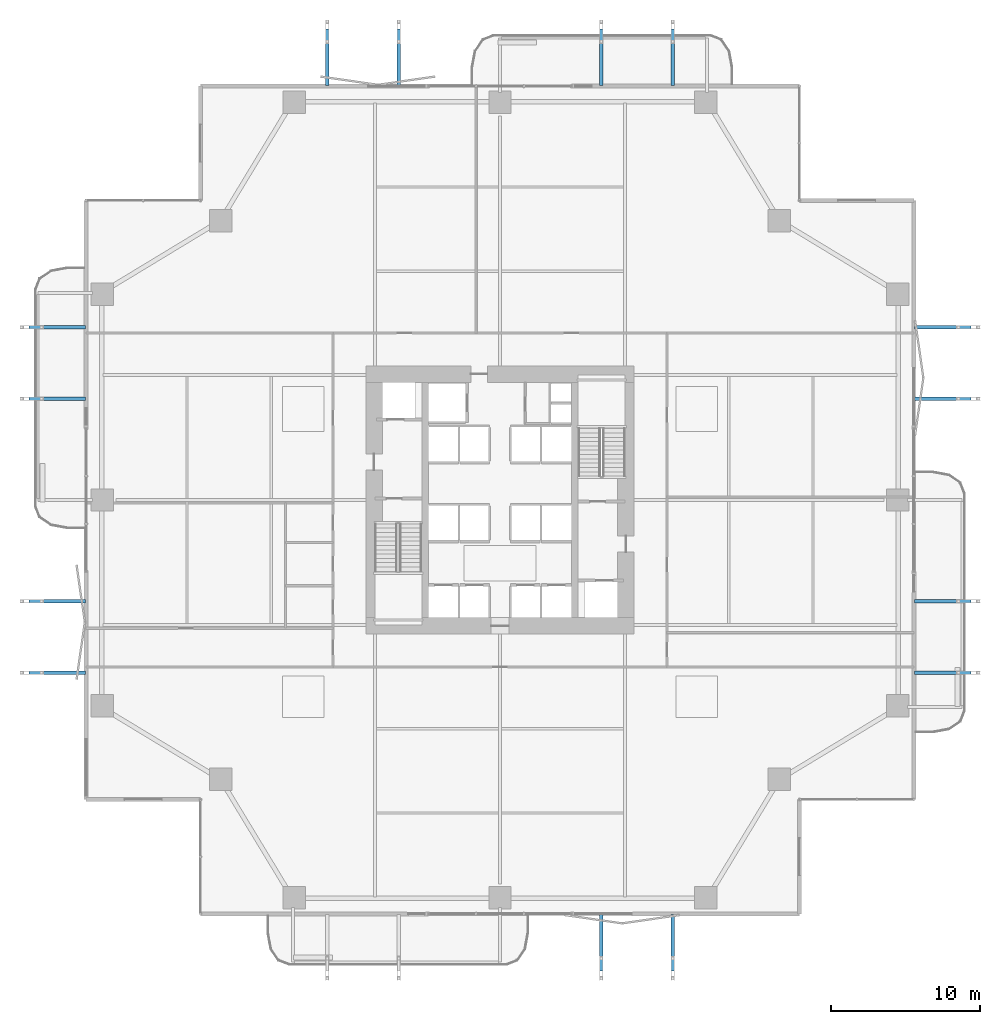
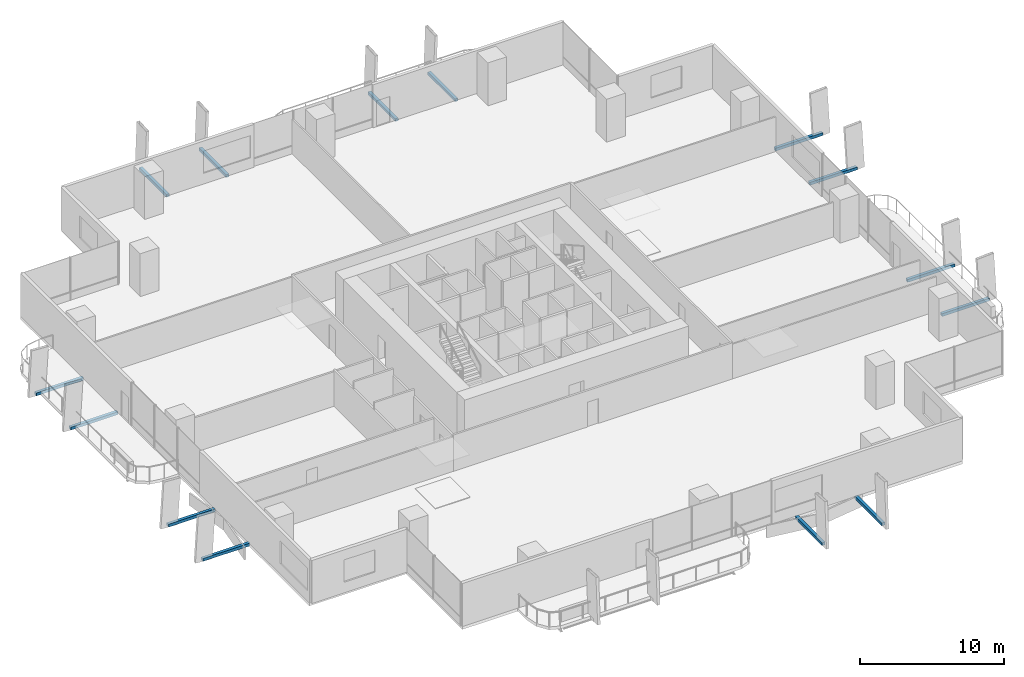
# One storey, part 27 of 30: 14 discrete accessories.
"""IFC4 building model written with IfcOpenShell, lengths in metres."""

from ifc_helpers import new_model, si_unit, direction, frame, origin, origin_2d, place, context, subcontext, project, spatial, rectangle, extrude, material, layer, layer_set, type_object, element, save


model = new_model("IFC4")

# Units and contexts
model_context = context("Model", 3, precision=1e-05, world=origin(), true_north=direction((0.0, 1.0)))
body_context = subcontext(model_context, "Body", "Model", "MODEL_VIEW")
ifc_project = project(units=[si_unit("LENGTHUNIT", "METRE"), si_unit("AREAUNIT", "SQUARE_METRE"), si_unit("VOLUMEUNIT", "CUBIC_METRE"), si_unit("PLANEANGLEUNIT", "RADIAN"), si_unit("MASSUNIT", "GRAM", prefix="KILO")], contexts=[model_context])

# Site, building, storey
site_placement = place(None, origin())
site = spatial("IfcSite", under=ifc_project, at=site_placement, CompositionType="ELEMENT")
building_placement = place(site_placement, origin())
building = spatial("IfcBuilding", under=site, at=building_placement, Name="Belovzor Exchange Tower", CompositionType="ELEMENT")
storey_placement = place(building_placement, frame((0.0, 0.0, 30.0)))
storey = spatial("IfcBuildingStorey", under=building, at=storey_placement, Name="L06", CompositionType="ELEMENT", Elevation=30.0)

# Discrete accessories
ifc_material = material(Name="Stainless Steel Grade 316", Category="steel")
ifc_layer = layer(ifc_material, 0.179931640625)
ifc_layer_set = layer_set([ifc_layer], Name="Stainless Steel Grade 316")
discrete_accessory_type = type_object("IfcDiscreteAccessoryType", Name="Stainless Steel Facade Outrigger Fixing Bracket", PredefinedType="BRACKET", material=ifc_layer_set)
for number, where, z_axis, x_axis, name in (
    (1, (17.199951171875, 58.51904296875, -0.2451171875), (0.0, 0.0, 1.0), (0.0, 1.0, 0.0), "BRK-FIN1 Sweeping Fin Outrigger Bracket L06 N1"),
    (2, (-0.9189453125, 17.199951171875, -0.2451171875), (0.0, 0.0, 1.0), (1.0, 0.0, 0.0), "BRK-FIN1 Sweeping Fin Outrigger Bracket L06 W1"),
    (3, (58.51904296875, 17.199951171875, -0.2451171875), (0.0, 0.0, 1.0), (1.0, 0.0, 0.0), "BRK-FIN1 Sweeping Fin Outrigger Bracket L06 E1"),
    (4, (22.0, 58.51904296875, -0.2451171875), (0.0, 0.0, 1.0), (0.0, 1.0, 0.0), "BRK-FIN1 Sweeping Fin Outrigger Bracket L06 N2"),
    (5, (-0.9189453125, 22.0, -0.2451171875), (0.0, 0.0, 1.0), (1.0, 0.0, 0.0), "BRK-FIN1 Sweeping Fin Outrigger Bracket L06 W2"),
    (6, (58.51904296875, 22.0, -0.2451171875), (0.0, 0.0, 1.0), (1.0, 0.0, 0.0), "BRK-FIN1 Sweeping Fin Outrigger Bracket L06 E2"),
    (7, (35.60009765625, -0.9189453125, -0.2451171875), (0.0, 0.0, 1.0), (0.0, 1.0, 0.0), "BRK-FIN1 Sweeping Fin Outrigger Bracket L06 S3"),
    (8, (35.60009765625, 58.51904296875, -0.2451171875), (0.0, 0.0, 1.0), (0.0, 1.0, 0.0), "BRK-FIN1 Sweeping Fin Outrigger Bracket L06 N3"),
    (9, (-0.9189453125, 35.60009765625, -0.2451171875), (0.0, 0.0, 1.0), (1.0, 0.0, 0.0), "BRK-FIN1 Sweeping Fin Outrigger Bracket L06 W3"),
    (10, (58.51904296875, 35.60009765625, -0.2451171875), (0.0, 0.0, 1.0), (1.0, 0.0, 0.0), "BRK-FIN1 Sweeping Fin Outrigger Bracket L06 E3"),
    (11, (40.39990234375, -0.9189453125, -0.2451171875), (0.0, 0.0, 1.0), (0.0, 1.0, 0.0), "BRK-FIN1 Sweeping Fin Outrigger Bracket L06 S4"),
    (12, (40.39990234375, 58.51904296875, -0.2451171875), (0.0, 0.0, 1.0), (0.0, 1.0, 0.0), "BRK-FIN1 Sweeping Fin Outrigger Bracket L06 N4"),
    (13, (-0.9189453125, 40.39990234375, -0.2451171875), (0.0, 0.0, 1.0), (1.0, 0.0, 0.0), "BRK-FIN1 Sweeping Fin Outrigger Bracket L06 W4"),
    (14, (58.51904296875, 40.39990234375, -0.2451171875), (0.0, 0.0, 1.0), (1.0, 0.0, 0.0), "BRK-FIN1 Sweeping Fin Outrigger Bracket L06 E4"),
):
    element("IfcDiscreteAccessory", number, at=place(storey_placement, frame(where, z_axis=z_axis, x_axis=x_axis)), inside=storey, type_object=discrete_accessory_type, Name=name, PredefinedType="BRACKET", context=body_context, shape_type="SweptSolid", body=[
        extrude(rectangle(XDim=3.797119140625, YDim=0.239990234375, at=origin_2d()), origin(), (0.0, 0.0, 1.0), 0.239990234375),
    ])

save(model, "model.ifc")
